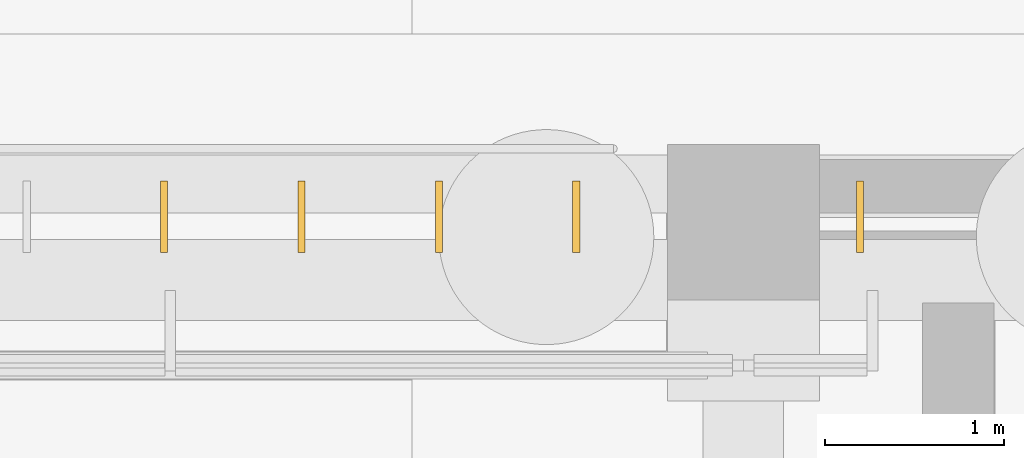
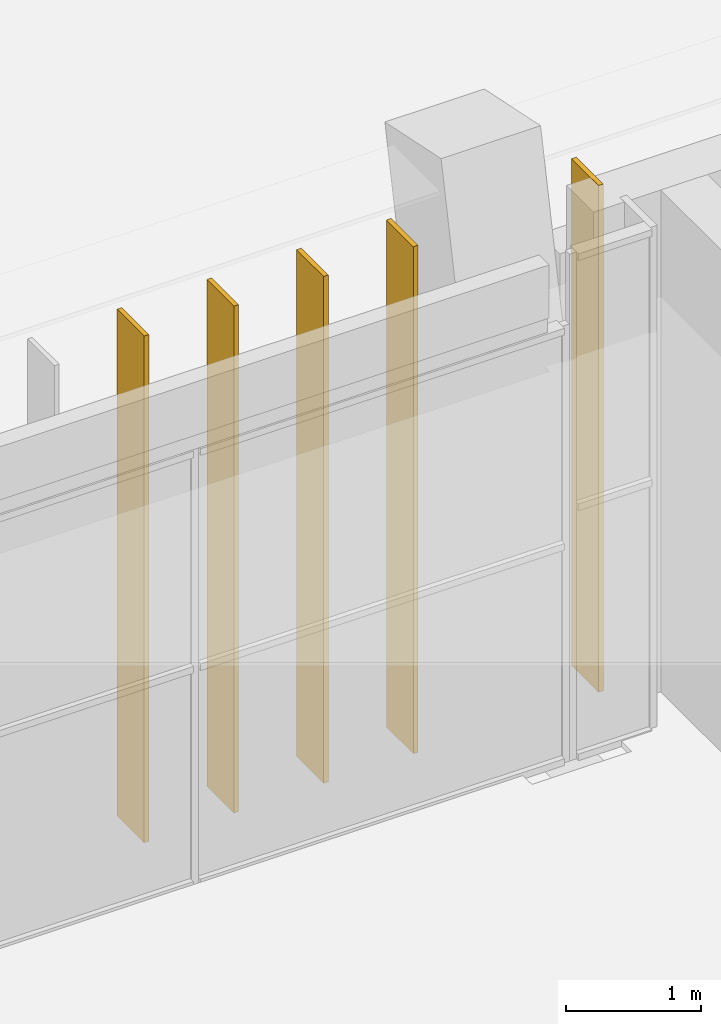
# One storey, part 137 of 144: 5 shading devices.
"""IFC4 building model written with IfcOpenShell, lengths in metres."""

from ifc_helpers import new_model, si_unit, direction, frame, origin, origin_2d, place, context, subcontext, project, spatial, rectangle, extrude, material, layer, layer_set, type_object, element, save


model = new_model("IFC4")

# Units and contexts
model_context = context("Model", 3, precision=1e-05, world=origin(), true_north=direction((0.0, 1.0)))
body_context = subcontext(model_context, "Body", "Model", "MODEL_VIEW")
ifc_project = project(units=[si_unit("LENGTHUNIT", "METRE"), si_unit("AREAUNIT", "SQUARE_METRE"), si_unit("VOLUMEUNIT", "CUBIC_METRE"), si_unit("PLANEANGLEUNIT", "RADIAN"), si_unit("MASSUNIT", "GRAM", prefix="KILO")], contexts=[model_context])

# Site, building, storey
site_placement = place(None, origin())
site = spatial("IfcSite", under=ifc_project, at=site_placement, CompositionType="ELEMENT")
building_placement = place(site_placement, origin())
building = spatial("IfcBuilding", under=site, at=building_placement, Name="Lantern Court Media Centre", CompositionType="ELEMENT")
storey_placement = place(building_placement, origin())
storey = spatial("IfcBuildingStorey", under=building, at=storey_placement, Name="L00", CompositionType="ELEMENT", Elevation=0.0)

# Shading devices
ifc_material = material(Name="Bronze anodised aluminium louvre", Category="aluminium")
ifc_layer = layer(ifc_material, 0.0400390625)
ifc_layer_set = layer_set([ifc_layer], Name="Bronze anodised aluminium louvre")
shading_device_type = type_object("IfcShadingDeviceType", Name="Vertical louvre 40x400 full storey", PredefinedType="USERDEFINED", material=ifc_layer_set)
for number, where, z_axis, x_axis, name in (
    (1, (52.7666015625, 111.679931640625, 0.0), (0.0, 0.0, 1.0), (1.0, 0.0, 0.0), "Vertical louvre N outer L00"),
    (2, (53.533447265625, 111.679931640625, 0.0), (0.0, 0.0, 1.0), (1.0, 0.0, 0.0), "Vertical louvre N outer L00"),
    (3, (54.300048828125, 111.679931640625, 0.0), (0.0, 0.0, 1.0), (1.0, 0.0, 0.0), "Vertical louvre N outer L00"),
    (4, (55.066650390625, 111.679931640625, 0.0), (0.0, 0.0, 1.0), (1.0, 0.0, 0.0), "Vertical louvre N outer L00"),
    (5, (56.64990234375, 111.679931640625, 0.0), (0.0, 0.0, 1.0), (1.0, 0.0, 0.0), "Vertical louvre N outer L00"),
):
    element("IfcShadingDevice", number, at=place(storey_placement, frame(where, z_axis=z_axis, x_axis=x_axis)), inside=storey, type_object=shading_device_type, Name=name, ObjectType="VERTICAL LOUVRE", PredefinedType="USERDEFINED", context=body_context, shape_type="SweptSolid", body=[
        extrude(rectangle(XDim=0.0400390625, YDim=0.39990234375, at=origin_2d()), origin(), (0.0, 0.0, 1.0), 4.580078125),
    ])

save(model, "model.ifc")
